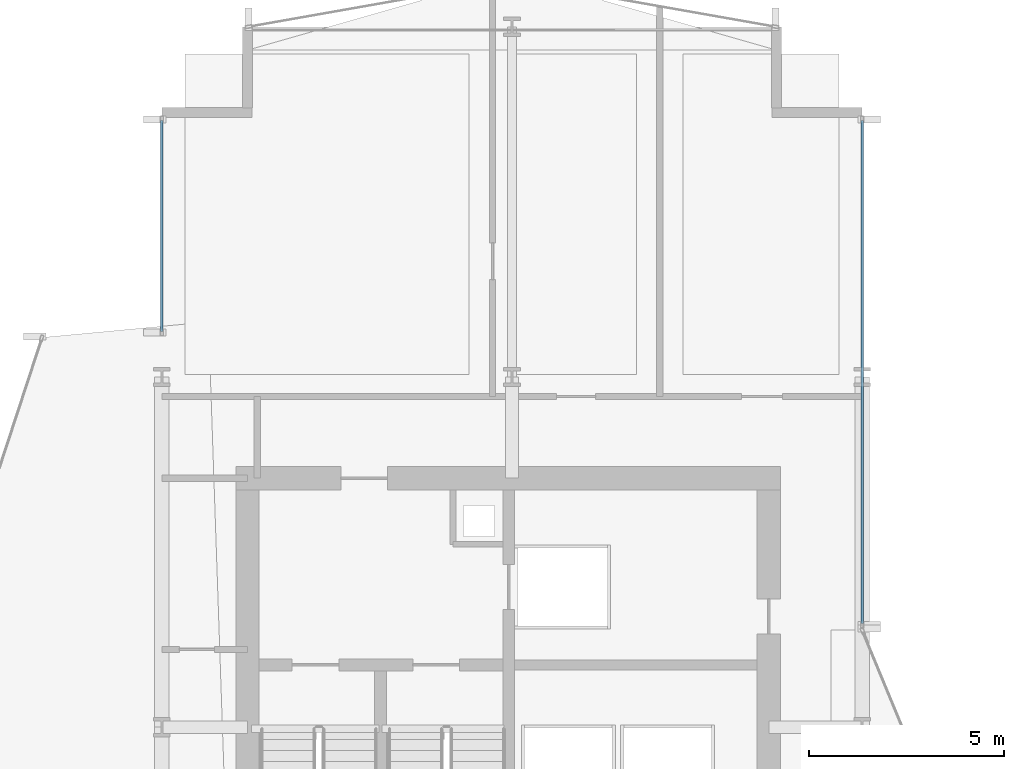
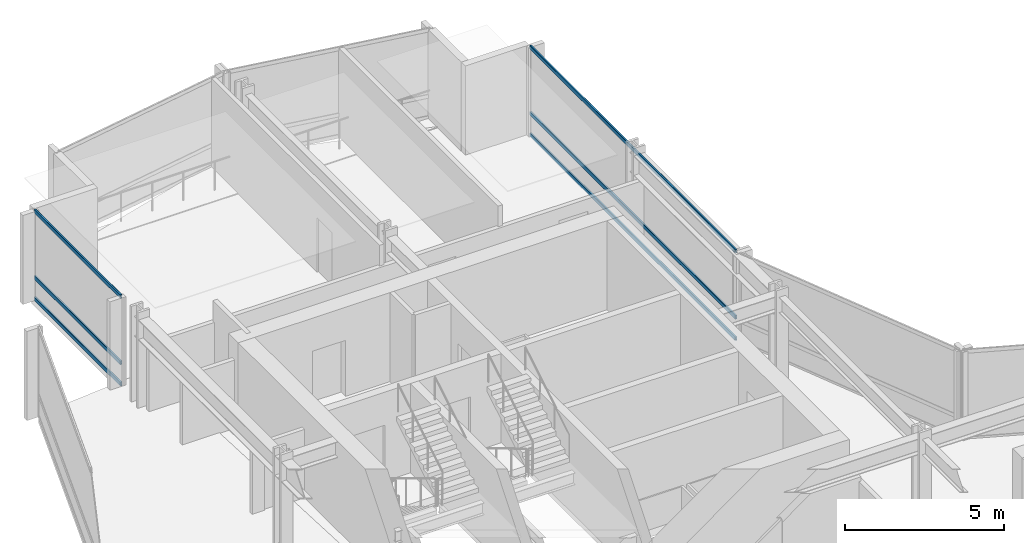
# One storey, part 22 of 34: 6 members, 2 elements without a shape of their own.
"""IFC4 building model written with IfcOpenShell, lengths in metres."""

from ifc_helpers import new_model, si_unit, direction, frame, origin, origin_2d, place, context, subcontext, project, spatial, hollow_rectangle, extrude, material, layer, layer_set, material_profile, profile_set, type_object, element, aggregate, save


model = new_model("IFC4")

# Units and contexts
model_context = context("Model", 3, precision=1e-05, world=origin(), true_north=direction((0.0, 1.0)))
body_context = subcontext(model_context, "Body", "Model", "MODEL_VIEW")
ifc_project = project(units=[si_unit("LENGTHUNIT", "METRE"), si_unit("AREAUNIT", "SQUARE_METRE"), si_unit("VOLUMEUNIT", "CUBIC_METRE"), si_unit("PLANEANGLEUNIT", "RADIAN"), si_unit("MASSUNIT", "GRAM", prefix="KILO")], contexts=[model_context])

# Site, building, storey
site_placement = place(None, origin())
site = spatial("IfcSite", under=ifc_project, at=site_placement, CompositionType="ELEMENT")
building_placement = place(site_placement, origin())
building = spatial("IfcBuilding", under=site, at=building_placement, Name="Solvaryn Broadcast Tower", CompositionType="ELEMENT")
storey_placement = place(building_placement, frame((0.0, 0.0, 58.199951171875)))
storey = spatial("IfcBuildingStorey", under=building, at=storey_placement, Name="L13", CompositionType="ELEMENT", Elevation=58.199951171875)

# Curtain wall, members
ifc_material_1 = material(Name="Aluminium and Terracotta Unitised Curtain Wall", Category="masonry")
ifc_layer = layer(ifc_material_1, 0.199951171875)
ifc_layer_set = layer_set([ifc_layer], Name="CW-SYS2-LOWMID")
curtain_wall_type = type_object("IfcCurtainWallType", Name="CW-SYS2-LOWMID", PredefinedType="NOTDEFINED", material=ifc_layer_set)
curtain_wall_1_placement = place(storey_placement, origin())
curtain_wall_1 = element("IfcCurtainWall", 1, at=curtain_wall_1_placement, inside=storey, type_object=curtain_wall_type, Name="L13 Curtain Wall W2", PredefinedType="NOTDEFINED")
ifc_material_2 = material(Name="Anodised Aluminium 6063-T6", Category="aluminium")
ifc_material_profile = material_profile(ifc_material_2, hollow_rectangle(XDim=0.06494140625, YDim=0.14990234375, WallThickness=0.00390625, InnerFilletRadius=0.00390625, OuterFilletRadius=0.008056640625, at=origin_2d()))
ifc_profile_set = profile_set([ifc_material_profile], Name="Anodised Aluminium 6063-T6")
member_type = type_object("IfcMemberType", Name="CW-TRN-150", PredefinedType="USERDEFINED", material=ifc_profile_set)
member_1_placement = place(storey_placement, frame((9.0, 46.176025390625, 0.030029296875), z_axis=(0.0, 1.0, 0.0), x_axis=(-1.0, 0.0, 0.0)))
member_1 = element("IfcMember", 2, at=member_1_placement, type_object=member_type, Name="CWS2 transom 1.1", ObjectType="TRANSOM", PredefinedType="USERDEFINED", context=body_context, shape_type="SweptSolid", body=[
    extrude(hollow_rectangle(XDim=0.06494140625, YDim=0.14990234375, WallThickness=0.00390625, InnerFilletRadius=0.00390625, OuterFilletRadius=0.008056640625, at=origin_2d()), origin(), (0.0, 0.0, 1.0), 5.4140625),
])
member_2_placement = place(storey_placement, frame((9.0, 46.176025390625, 0.85009765625), z_axis=(0.0, 1.0, 0.0), x_axis=(-1.0, 0.0, 0.0)))
member_2 = element("IfcMember", 3, at=member_2_placement, type_object=member_type, Name="CWS2 transom 1.2", ObjectType="TRANSOM", PredefinedType="USERDEFINED", context=body_context, shape_type="SweptSolid", body=[
    extrude(hollow_rectangle(XDim=0.06494140625, YDim=0.14990234375, WallThickness=0.00390625, InnerFilletRadius=0.00390625, OuterFilletRadius=0.008056640625, at=origin_2d()), origin(), (0.0, 0.0, 1.0), 5.4140625),
])
member_3_placement = place(storey_placement, frame((9.0, 46.176025390625, 3.39013671875), z_axis=(0.0, 1.0, 0.0), x_axis=(-1.0, 0.0, 0.0)))
member_3 = element("IfcMember", 4, at=member_3_placement, type_object=member_type, Name="CWS2 transom 1.3", ObjectType="TRANSOM", PredefinedType="USERDEFINED", context=body_context, shape_type="SweptSolid", body=[
    extrude(hollow_rectangle(XDim=0.06494140625, YDim=0.14990234375, WallThickness=0.00390625, InnerFilletRadius=0.00390625, OuterFilletRadius=0.008056640625, at=origin_2d()), origin(), (0.0, 0.0, 1.0), 5.4140625),
])
aggregate(curtain_wall_1, [member_1, member_2, member_3])

curtain_wall_2_placement = place(storey_placement, origin())
curtain_wall_2 = element("IfcCurtainWall", 5, at=curtain_wall_2_placement, inside=storey, type_object=curtain_wall_type, Name="L13 Curtain Wall IV", PredefinedType="NOTDEFINED")
member_4_placement = place(storey_placement, frame((27.0, 51.590087890625, 0.030029296875), z_axis=(0.0, -1.0, 0.0), x_axis=(1.0, 0.0, 0.0)))
member_4 = element("IfcMember", 6, at=member_4_placement, type_object=member_type, Name="CWS2 transom 1.1", ObjectType="TRANSOM", PredefinedType="USERDEFINED", context=body_context, shape_type="SweptSolid", body=[
    extrude(hollow_rectangle(XDim=0.06494140625, YDim=0.14990234375, WallThickness=0.00390625, InnerFilletRadius=0.00390625, OuterFilletRadius=0.008056640625, at=origin_2d()), origin(), (0.0, 0.0, 1.0), 12.93017578125),
])
member_5_placement = place(storey_placement, frame((27.0, 51.590087890625, 0.85009765625), z_axis=(0.0, -1.0, 0.0), x_axis=(1.0, 0.0, 0.0)))
member_5 = element("IfcMember", 7, at=member_5_placement, type_object=member_type, Name="CWS2 transom 1.2", ObjectType="TRANSOM", PredefinedType="USERDEFINED", context=body_context, shape_type="SweptSolid", body=[
    extrude(hollow_rectangle(XDim=0.06494140625, YDim=0.14990234375, WallThickness=0.00390625, InnerFilletRadius=0.00390625, OuterFilletRadius=0.008056640625, at=origin_2d()), origin(), (0.0, 0.0, 1.0), 12.93017578125),
])
member_6_placement = place(storey_placement, frame((27.0, 51.590087890625, 3.39013671875), z_axis=(0.0, -1.0, 0.0), x_axis=(1.0, 0.0, 0.0)))
member_6 = element("IfcMember", 8, at=member_6_placement, type_object=member_type, Name="CWS2 transom 1.3", ObjectType="TRANSOM", PredefinedType="USERDEFINED", context=body_context, shape_type="SweptSolid", body=[
    extrude(hollow_rectangle(XDim=0.06494140625, YDim=0.14990234375, WallThickness=0.00390625, InnerFilletRadius=0.00390625, OuterFilletRadius=0.008056640625, at=origin_2d()), origin(), (0.0, 0.0, 1.0), 12.93017578125),
])
aggregate(curtain_wall_2, [member_4, member_5, member_6])

save(model, "model.ifc")
